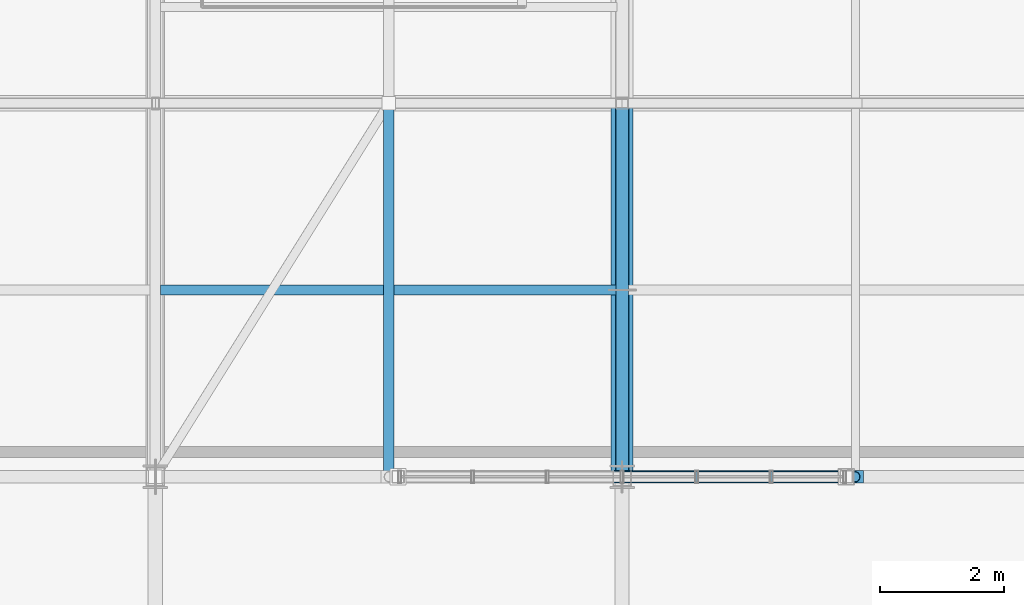
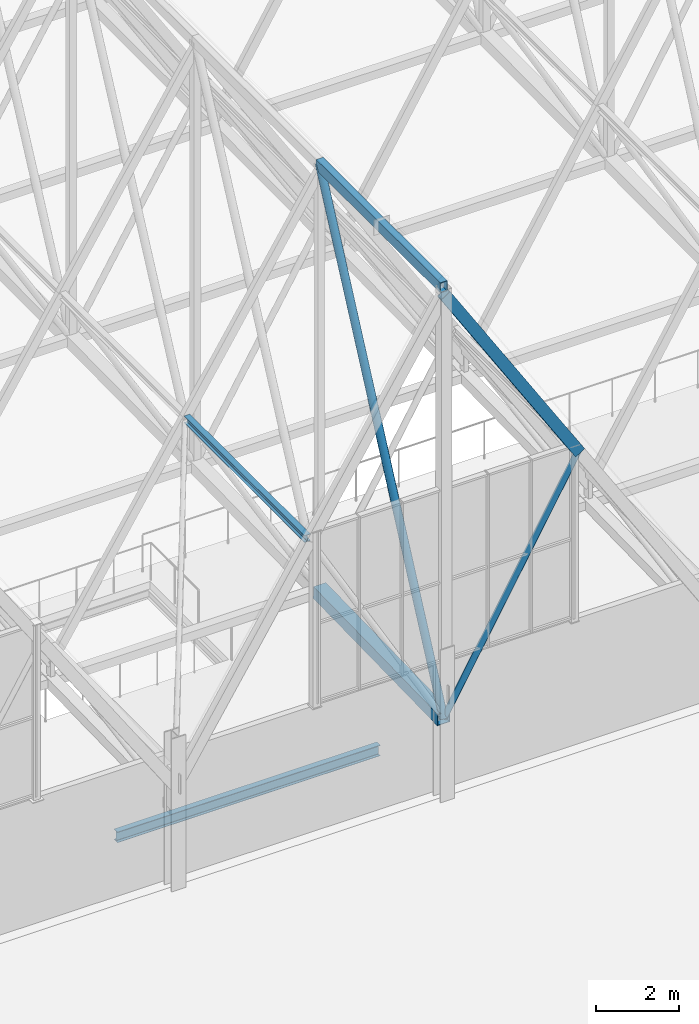
# One storey, part 88 of 324: 5 members, 2 beams.
"""IFC4 building model written with IfcOpenShell, lengths in metres."""

from ifc_helpers import new_model, si_unit, direction, frame, origin, origin_2d, place, context, subcontext, project, spatial, hollow_rectangle, hollow_circle, i_section, extrude, material, material_profile, profile_set, type_object, element, save


model = new_model("IFC4")

# Units and contexts
model_context = context("Model", 3, precision=1e-05, world=origin(), true_north=direction((0.0, 1.0)))
body_context = subcontext(model_context, "Body", "Model", "MODEL_VIEW")
ifc_project = project(units=[si_unit("LENGTHUNIT", "METRE"), si_unit("AREAUNIT", "SQUARE_METRE"), si_unit("VOLUMEUNIT", "CUBIC_METRE"), si_unit("PLANEANGLEUNIT", "RADIAN"), si_unit("MASSUNIT", "GRAM", prefix="KILO")], contexts=[model_context])

# Site, building, storey
site_placement = place(None, origin())
site = spatial("IfcSite", under=ifc_project, at=site_placement, CompositionType="ELEMENT")
building_placement = place(site_placement, origin())
building = spatial("IfcBuilding", under=site, at=building_placement, Name="Solvenia Promenade Tram Depot", CompositionType="ELEMENT")
storey_placement = place(building_placement, frame((0.0, 0.0, 4.5)))
storey = spatial("IfcBuildingStorey", under=building, at=storey_placement, Name="L01", CompositionType="ELEMENT", Elevation=4.5)

# Members
ifc_material_1 = material(Name="Structural steel ASTM A500 Gr. C", Category="steel")
ifc_material_profile_1 = material_profile(ifc_material_1, hollow_circle(Radius=0.109619140625, WallThickness=0.008056640625, at=origin_2d()), Name="CHS219.1x8", Category="steel")
ifc_profile_set_1 = profile_set([ifc_material_profile_1], Name="Structural steel ASTM A500 Gr. C")
member_type_1 = type_object("IfcMemberType", Name="Brace-CHS219x8", PredefinedType="BRACE", material=ifc_profile_set_1)
member_1_placement = place(storey_placement, frame((22.5, 66.0, 2.320068359375), z_axis=(0.0, 0.426619479473, 0.904431213379), x_axis=(-1.0, 0.0, 0.0)))
element("IfcMember", 1, at=member_1_placement, inside=storey, type_object=member_type_1, Name="Arched Truss T04 Web Diagonal S01", PredefinedType="BRACE", context=body_context, shape_type="SweptSolid", body=[
    extrude(hollow_circle(Radius=0.109619140625, WallThickness=0.008056640625, at=origin_2d()), origin(), (0.0, 0.0, 1.0), 14.06396484375),
])
ifc_material_profile_2 = material_profile(ifc_material_1, hollow_rectangle(XDim=0.199951171875, YDim=0.300048828125, WallThickness=0.012451171875, at=origin_2d()), Name="HSS300x200x12.5", Category="steel")
ifc_profile_set_2 = profile_set([ifc_material_profile_2], Name="Structural steel ASTM A500 Gr. C")
member_type_2 = type_object("IfcMemberType", Name="Chord-HSS300x200x12", PredefinedType="CHORD", material=ifc_profile_set_2)
member_2_placement = place(storey_placement, frame((22.5, 66.0, 15.0400390625), z_axis=(0.0, 1.0, 0.0), x_axis=(-1.0, 0.0, 0.0)))
element("IfcMember", 2, at=member_2_placement, inside=storey, type_object=member_type_2, Name="Arched Truss T04 Upper Chord S01", PredefinedType="CHORD", context=body_context, shape_type="SweptSolid", body=[
    extrude(hollow_rectangle(XDim=0.199951171875, YDim=0.300048828125, WallThickness=0.012451171875, at=origin_2d()), origin(), (0.0, 0.0, 1.0), 6.0),
])
member_3_placement = place(storey_placement, frame((22.5, 66.0, 14.83251953125), z_axis=(0.533522444929, 0.0, -0.845785907164), x_axis=(0.0, 1.0, 0.0)))
element("IfcMember", 3, at=member_3_placement, inside=storey, type_object=member_type_2, Name="Zigzag Gable 02 East Upper Rafter", PredefinedType="CHORD", context=body_context, shape_type="SweptSolid", body=[
    extrude(hollow_rectangle(XDim=0.199951171875, YDim=0.300048828125, WallThickness=0.012451171875, at=origin_2d()), origin(), (0.0, 0.0, 1.0), 7.02880859375),
])
ifc_material_profile_3 = material_profile(ifc_material_1, hollow_rectangle(XDim=0.35009765625, YDim=0.35009765625, WallThickness=0.01611328125, at=origin_2d()), Name="HSS350x350x16", Category="steel")
ifc_profile_set_3 = profile_set([ifc_material_profile_3], Name="Structural steel ASTM A500 Gr. C")
member_type_3 = type_object("IfcMemberType", Name="Chord-HSS350x350x16", PredefinedType="CHORD", material=ifc_profile_set_3)
member_4_placement = place(storey_placement, frame((22.5, 66.0, 2.320068359375), z_axis=(0.0, 0.999779654873, 0.020991467363), x_axis=(-1.0, 0.0, 0.0)))
element("IfcMember", 4, at=member_4_placement, inside=storey, type_object=member_type_3, Name="Arched Truss T04 Bottom Chord S01", PredefinedType="CHORD", context=body_context, shape_type="SweptSolid", body=[
    extrude(hollow_rectangle(XDim=0.35009765625, YDim=0.35009765625, WallThickness=0.01611328125, at=origin_2d()), origin(), (0.0, 0.0, 1.0), 6.001220703125),
])

# Beams
ifc_material_2 = material(Name="Structural steel ASTM A992 Gr. 50", Category="steel")
ifc_material_profile_4 = material_profile(ifc_material_2, i_section(OverallWidth=0.166015625, OverallDepth=0.31298828125, WebThickness=0.006591796875, FlangeThickness=0.01123046875, FilletRadius=0.010009765625, at=origin_2d()), Name="W310x45", Category="steel")
ifc_profile_set_4 = profile_set([ifc_material_profile_4], Name="Structural steel ASTM A992 Gr. 50")
beam_type_1 = type_object("IfcBeamType", Name="Joist-W310x45", PredefinedType="JOIST", material=ifc_profile_set_4)
beam_1_placement = place(storey_placement, frame((15.0849609375, 69.0, -0.37646484375), z_axis=(1.0, 0.0, 0.0), x_axis=(0.0, 1.0, 0.0)))
element("IfcBeam", 5, at=beam_1_placement, inside=storey, type_object=beam_type_1, Name="Secondary Floor Joist BM-L01-0068", PredefinedType="JOIST", context=body_context, shape_type="SweptSolid", body=[
    extrude(i_section(OverallWidth=0.166015625, OverallDepth=0.31298828125, WebThickness=0.006591796875, FlangeThickness=0.01123046875, FilletRadius=0.010009765625, at=origin_2d()), origin(), (0.0, 0.0, 1.0), 7.330078125),
])
ifc_material_profile_5 = material_profile(ifc_material_2, i_section(OverallWidth=0.1650390625, OverallDepth=0.200927734375, WebThickness=0.006103515625, FlangeThickness=0.01025390625, FilletRadius=0.010009765625, at=origin_2d()), Name="W200x36", Category="steel")
ifc_profile_set_5 = profile_set([ifc_material_profile_5], Name="Structural steel ASTM A992 Gr. 50")
beam_type_2 = type_object("IfcBeamType", Name="Purlin-W200x36", PredefinedType="USERDEFINED", material=ifc_profile_set_5)
beam_2_placement = place(storey_placement, frame((18.75, 66.0849609375, 8.8857421875), z_axis=(0.0, 1.0, 0.0), x_axis=(-1.0, 0.0, 0.0)))
element("IfcBeam", 6, at=beam_2_placement, inside=storey, type_object=beam_type_2, Name="Gable Roof Purlin W-0021", ObjectType="PURLIN", PredefinedType="USERDEFINED", context=body_context, shape_type="SweptSolid", body=[
    extrude(i_section(OverallWidth=0.1650390625, OverallDepth=0.200927734375, WebThickness=0.006103515625, FlangeThickness=0.01025390625, FilletRadius=0.010009765625, at=origin_2d()), origin(), (0.0, 0.0, 1.0), 5.830078125),
])

# Member
ifc_material_profile_6 = material_profile(ifc_material_1, hollow_circle(Radius=0.084228515625, WallThickness=0.008056640625, at=origin_2d()), Name="CHS168.3x8", Category="steel")
ifc_profile_set_6 = profile_set([ifc_material_profile_6], Name="Structural steel ASTM A500 Gr. C")
member_type_4 = type_object("IfcMemberType", Name="WebDiag-CHS168x8", PredefinedType="BRACE", material=ifc_profile_set_6)
member_5_placement = place(storey_placement, frame((22.5, 66.0, 2.320068359375), z_axis=(0.495846885085, 0.0, 0.868409964562), x_axis=(0.0, 1.0, 0.0)))
element("IfcMember", 7, at=member_5_placement, inside=storey, type_object=member_type_4, Name="Zigzag Gable 02 East Knee Strut", PredefinedType="BRACE", context=body_context, shape_type="SweptSolid", body=[
    extrude(hollow_circle(Radius=0.084228515625, WallThickness=0.008056640625, at=origin_2d()), origin(), (0.0, 0.0, 1.0), 7.562744140625),
])

save(model, "model.ifc")
